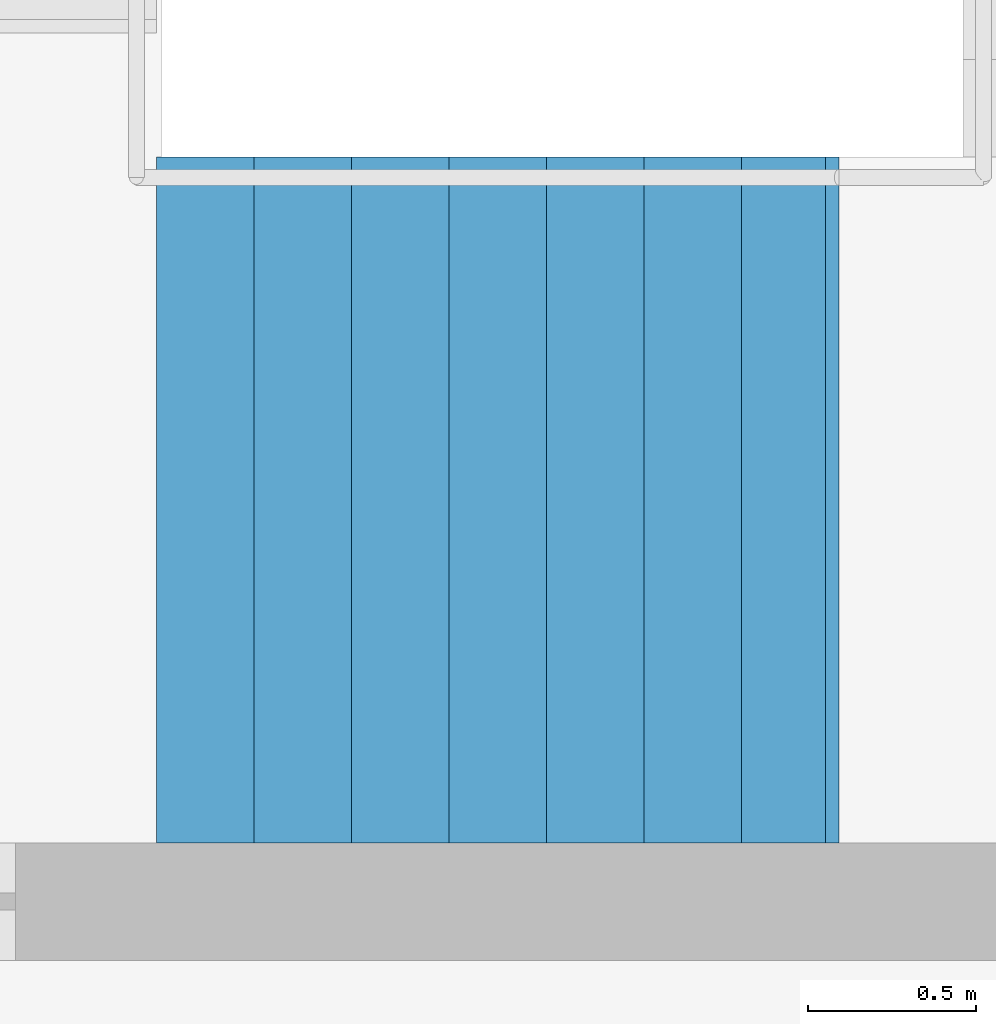
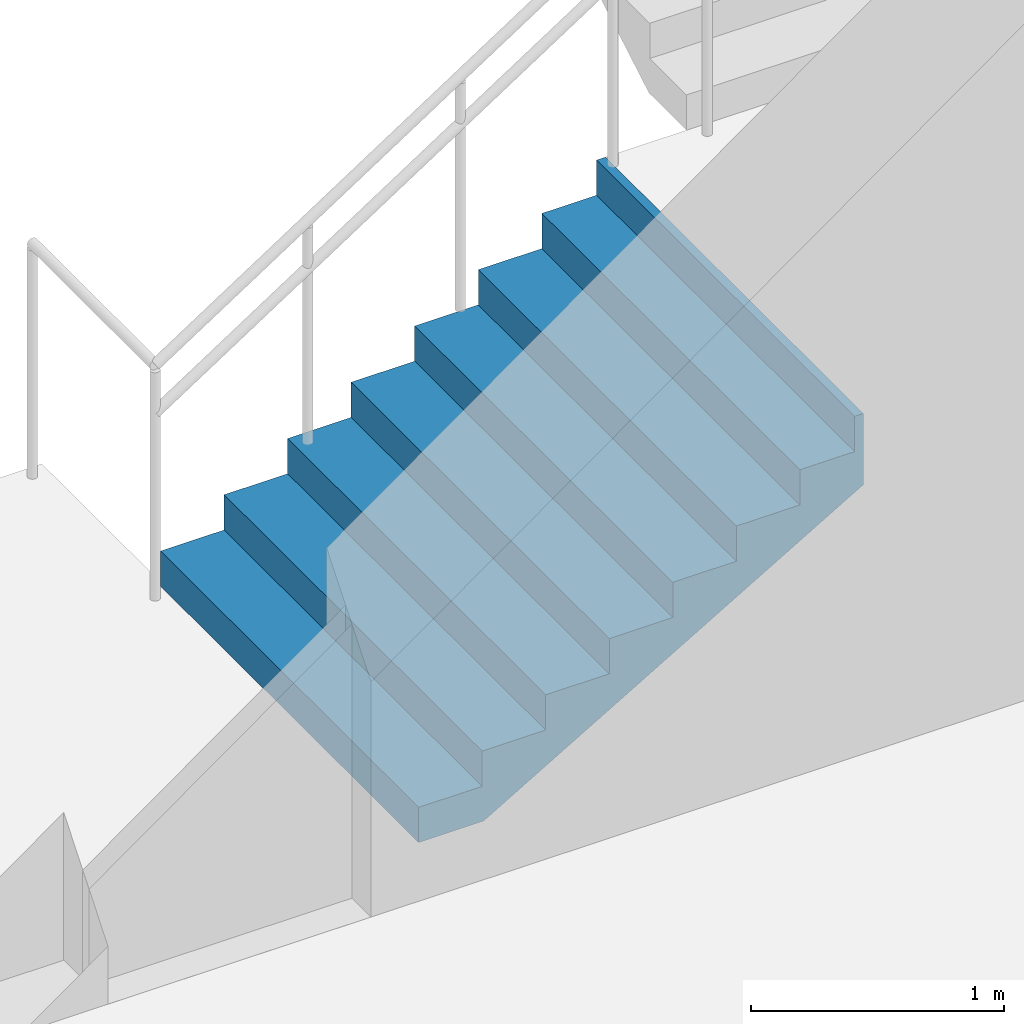
# One storey, part 31 of 50: 1 stair flight, 1 element without a shape of its own.
"""IFC4 building model written with IfcOpenShell, lengths in metres."""

from ifc_helpers import new_model, si_unit, direction, frame, origin, place, context, subcontext, project, spatial, triangles, material, type_object, element, aggregate, save


model = new_model("IFC4")

# Units and contexts
model_context = context("Model", 3, precision=1e-05, world=origin(), true_north=direction((0.0, 1.0)))
body_context = subcontext(model_context, "Body", "Model", "MODEL_VIEW")
ifc_project = project(units=[si_unit("LENGTHUNIT", "METRE"), si_unit("AREAUNIT", "SQUARE_METRE"), si_unit("VOLUMEUNIT", "CUBIC_METRE"), si_unit("PLANEANGLEUNIT", "RADIAN"), si_unit("MASSUNIT", "GRAM", prefix="KILO")], contexts=[model_context])

# Site, building, storey
site_placement = place(None, origin())
site = spatial("IfcSite", under=ifc_project, at=site_placement, CompositionType="ELEMENT")
building_placement = place(site_placement, origin())
building = spatial("IfcBuilding", under=site, at=building_placement, Name="Sillaruma Civic Art Gallery", CompositionType="ELEMENT")
storey_placement = place(building_placement, origin())
storey = spatial("IfcBuildingStorey", under=building, at=storey_placement, Name="L00", CompositionType="ELEMENT", Elevation=0.0)

# Stair, stair flight
ifc_material = material(Name="Concrete H35 (35 MPa)", Category="concrete")
stair_type = type_object("IfcStairType", Name="STR-4F-32", PredefinedType="USERDEFINED", material=ifc_material)
stair_placement = place(storey_placement, origin())
stair = element("IfcStair", 1, at=stair_placement, inside=storey, type_object=stair_type, Name="Protected Exit Stair ST-04 (East Bar) (L00)", ObjectType="THREE_RETURN_STAIR", PredefinedType="USERDEFINED")
stair_flight_type = type_object("IfcStairFlightType", Name="SFL-STR-8", PredefinedType="STRAIGHT", material=ifc_material)
stair_flight_placement = place(storey_placement, frame((100.89990234375, 52.22998046875, 0.0), z_axis=(0.0, 0.0, 1.0), x_axis=(1.0, 0.0, 0.0)))
stair_flight = element("IfcStairFlight", 2, at=stair_flight_placement, type_object=stair_flight_type, Name="ST-04 flight 1", NumberOfRisers=8, NumberOfTreads=7, PredefinedType="STRAIGHT", RiserHeight=0.17, TreadLength=0.29, context=body_context, shape_type="Tessellation", body=[
    triangles([(0.0, -1.02001953125, 0.0), (0.29, -1.02001953125, 0.0), (0.296443, -1.02001953125, 0.0), (0.58, -1.02001953125, 0.166223), (0.87, -1.02001953125, 0.336223), (1.16, -1.02001953125, 0.506223), (1.45, -1.02001953125, 0.676223), (1.74, -1.02001953125, 0.846223), (1.990029, -1.02001953125, 0.992792), (2.030029, -1.02001953125, 1.01624), (2.030029, -1.02001953125, 1.36), (1.990029, -1.02001953125, 1.36), (1.990029, -1.02001953125, 1.19), (1.74, -1.02001953125, 1.19), (1.74, -1.02001953125, 1.02), (1.45, -1.02001953125, 1.02), (1.45, -1.02001953125, 0.85), (1.16, -1.02001953125, 0.85), (1.16, -1.02001953125, 0.68), (0.87, -1.02001953125, 0.68), (0.87, -1.02001953125, 0.51), (0.58, -1.02001953125, 0.51), (0.58, -1.02001953125, 0.34), (0.296443, -1.02001953125, 0.34), (0.29, -1.02001953125, 0.34), (0.29, -1.02001953125, 0.17), (0.0, -1.02001953125, 0.17), (0.0, -0.05, 0.0), (0.29, -0.05, 0.0), (0.296443, -0.05, 0.0), (0.58, -0.05, 0.166223), (0.87, -0.05, 0.336223), (1.16, -0.05, 0.506223), (1.45, -0.05, 0.676223), (1.74, -0.05, 0.846223), (1.990029, -0.05, 0.992792), (2.030029, -0.05, 1.01624), (2.030029, -0.05, 1.36), (1.990029, -0.05, 1.36), (1.990029, -0.05, 1.19), (1.74, -0.05, 1.19), (1.74, -0.05, 1.02), (1.45, -0.05, 1.02), (1.45, -0.05, 0.85), (1.16, -0.05, 0.85), (1.16, -0.05, 0.68), (0.87, -0.05, 0.68), (0.87, -0.05, 0.51), (0.58, -0.05, 0.51), (0.58, -0.05, 0.34), (0.296443, -0.05, 0.34), (0.29, -0.05, 0.34), (0.29, -0.05, 0.17), (0.0, -0.05, 0.17), (0.0, -0.0375, 0.0), (0.29, -0.0375, 0.0), (0.296443, -0.0375, 0.0), (0.58, -0.0375, 0.166223), (0.87, -0.0375, 0.336223), (1.16, -0.0375, 0.506223), (1.45, -0.0375, 0.676223), (1.74, -0.0375, 0.846223), (1.990029, -0.0375, 0.992792), (2.030029, -0.0375, 1.01624), (2.030029, -0.0375, 1.36), (1.990029, -0.0375, 1.36), (1.990029, -0.0375, 1.19), (1.74, -0.0375, 1.19), (1.74, -0.0375, 1.02), (1.45, -0.0375, 1.02), (1.45, -0.0375, 0.85), (1.16, -0.0375, 0.85), (1.16, -0.0375, 0.68), (0.87, -0.0375, 0.68), (0.87, -0.0375, 0.51), (0.58, -0.0375, 0.51), (0.58, -0.0375, 0.34), (0.296443, -0.0375, 0.34), (0.29, -0.0375, 0.34), (0.29, -0.0375, 0.17), (0.0, -0.0375, 0.17), (0.0, -0.025, 0.0), (0.29, -0.025, 0.0), (0.296443, -0.025, 0.0), (0.58, -0.025, 0.166223), (0.87, -0.025, 0.336223), (1.16, -0.025, 0.506223), (1.45, -0.025, 0.676223), (1.74, -0.025, 0.846223), (1.990029, -0.025, 0.992792), (2.030029, -0.025, 1.01624), (2.030029, -0.025, 1.36), (1.990029, -0.025, 1.36), (1.990029, -0.025, 1.19), (1.74, -0.025, 1.19), (1.74, -0.025, 1.02), (1.45, -0.025, 1.02), (1.45, -0.025, 0.85), (1.16, -0.025, 0.85), (1.16, -0.025, 0.68), (0.87, -0.025, 0.68), (0.87, -0.025, 0.51), (0.58, -0.025, 0.51), (0.58, -0.025, 0.34), (0.296443, -0.025, 0.34), (0.29, -0.025, 0.34), (0.29, -0.025, 0.17), (0.0, -0.025, 0.17), (0.0, -0.0125, 0.0), (0.29, -0.0125, 0.0), (0.296443, -0.0125, 0.0), (0.58, -0.0125, 0.166223), (0.87, -0.0125, 0.336223), (1.16, -0.0125, 0.506223), (1.45, -0.0125, 0.676223), (1.74, -0.0125, 0.846223), (1.990029, -0.0125, 0.992792), (2.030029, -0.0125, 1.01624), (2.030029, -0.0125, 1.36), (1.990029, -0.0125, 1.36), (1.990029, -0.0125, 1.19), (1.74, -0.0125, 1.19), (1.74, -0.0125, 1.02), (1.45, -0.0125, 1.02), (1.45, -0.0125, 0.85), (1.16, -0.0125, 0.85), (1.16, -0.0125, 0.68), (0.87, -0.0125, 0.68), (0.87, -0.0125, 0.51), (0.58, -0.0125, 0.51), (0.58, -0.0125, 0.34), (0.296443, -0.0125, 0.34), (0.29, -0.0125, 0.34), (0.29, -0.0125, 0.17), (0.0, -0.0125, 0.17), (0.0, 0.0, 0.0), (0.29, 0.0, 0.0), (0.296443, 0.0, 0.0), (0.58, 0.0, 0.166223), (0.87, 0.0, 0.336223), (1.16, 0.0, 0.506223), (1.45, 0.0, 0.676223), (1.74, 0.0, 0.846223), (1.990029, 0.0, 0.992792), (2.030029, 0.0, 1.01624), (2.030029, 0.0, 1.36), (1.990029, 0.0, 1.36), (1.990029, 0.0, 1.19), (1.74, 0.0, 1.19), (1.74, 0.0, 1.02), (1.45, 0.0, 1.02), (1.45, 0.0, 0.85), (1.16, 0.0, 0.85), (1.16, 0.0, 0.68), (0.87, 0.0, 0.68), (0.87, 0.0, 0.51), (0.58, 0.0, 0.51), (0.58, 0.0, 0.34), (0.296443, 0.0, 0.34), (0.29, 0.0, 0.34), (0.29, 0.0, 0.17), (0.0, 0.0, 0.17), (0.0, 0.0125, 0.0), (0.29, 0.0125, 0.0), (0.296443, 0.0125, 0.0), (0.58, 0.0125, 0.166223), (0.87, 0.0125, 0.336223), (1.16, 0.0125, 0.506223), (1.45, 0.0125, 0.676223), (1.74, 0.0125, 0.846223), (1.990029, 0.0125, 0.992792), (2.030029, 0.0125, 1.01624), (2.030029, 0.0125, 1.36), (1.990029, 0.0125, 1.36), (1.990029, 0.0125, 1.19), (1.74, 0.0125, 1.19), (1.74, 0.0125, 1.02), (1.45, 0.0125, 1.02), (1.45, 0.0125, 0.85), (1.16, 0.0125, 0.85), (1.16, 0.0125, 0.68), (0.87, 0.0125, 0.68), (0.87, 0.0125, 0.51), (0.58, 0.0125, 0.51), (0.58, 0.0125, 0.34), (0.296443, 0.0125, 0.34), (0.29, 0.0125, 0.34), (0.29, 0.0125, 0.17), (0.0, 0.0125, 0.17), (0.0, 0.025, 0.0), (0.29, 0.025, 0.0), (0.296443, 0.025, 0.0), (0.58, 0.025, 0.166223), (0.87, 0.025, 0.336223), (1.16, 0.025, 0.506223), (1.45, 0.025, 0.676223), (1.74, 0.025, 0.846223), (1.990029, 0.025, 0.992792), (2.030029, 0.025, 1.01624), (2.030029, 0.025, 1.36), (1.990029, 0.025, 1.36), (1.990029, 0.025, 1.19), (1.74, 0.025, 1.19), (1.74, 0.025, 1.02), (1.45, 0.025, 1.02), (1.45, 0.025, 0.85), (1.16, 0.025, 0.85), (1.16, 0.025, 0.68), (0.87, 0.025, 0.68), (0.87, 0.025, 0.51), (0.58, 0.025, 0.51), (0.58, 0.025, 0.34), (0.296443, 0.025, 0.34), (0.29, 0.025, 0.34), (0.29, 0.025, 0.17), (0.0, 0.025, 0.17), (0.0, 0.0375, 0.0), (0.29, 0.0375, 0.0), (0.296443, 0.0375, 0.0), (0.58, 0.0375, 0.166223), (0.87, 0.0375, 0.336223), (1.16, 0.0375, 0.506223), (1.45, 0.0375, 0.676223), (1.74, 0.0375, 0.846223), (1.990029, 0.0375, 0.992792), (2.030029, 0.0375, 1.01624), (2.030029, 0.0375, 1.36), (1.990029, 0.0375, 1.36), (1.990029, 0.0375, 1.19), (1.74, 0.0375, 1.19), (1.74, 0.0375, 1.02), (1.45, 0.0375, 1.02), (1.45, 0.0375, 0.85), (1.16, 0.0375, 0.85), (1.16, 0.0375, 0.68), (0.87, 0.0375, 0.68), (0.87, 0.0375, 0.51), (0.58, 0.0375, 0.51), (0.58, 0.0375, 0.34), (0.296443, 0.0375, 0.34), (0.29, 0.0375, 0.34), (0.29, 0.0375, 0.17), (0.0, 0.0375, 0.17), (0.0, 0.05, 0.0), (0.29, 0.05, 0.0), (0.296443, 0.05, 0.0), (0.58, 0.05, 0.166223), (0.87, 0.05, 0.336223), (1.16, 0.05, 0.506223), (1.45, 0.05, 0.676223), (1.74, 0.05, 0.846223), (1.990029, 0.05, 0.992792), (2.030029, 0.05, 1.01624), (2.030029, 0.05, 1.36), (1.990029, 0.05, 1.36), (1.990029, 0.05, 1.19), (1.74, 0.05, 1.19), (1.74, 0.05, 1.02), (1.45, 0.05, 1.02), (1.45, 0.05, 0.85), (1.16, 0.05, 0.85), (1.16, 0.05, 0.68), (0.87, 0.05, 0.68), (0.87, 0.05, 0.51), (0.58, 0.05, 0.51), (0.58, 0.05, 0.34), (0.296443, 0.05, 0.34), (0.29, 0.05, 0.34), (0.29, 0.05, 0.17), (0.0, 0.05, 0.17), (0.0, 1.02001953125, 0.0), (0.29, 1.02001953125, 0.0), (0.296443, 1.02001953125, 0.0), (0.58, 1.02001953125, 0.166223), (0.87, 1.02001953125, 0.336223), (1.16, 1.02001953125, 0.506223), (1.45, 1.02001953125, 0.676223), (1.74, 1.02001953125, 0.846223), (1.990029, 1.02001953125, 0.992792), (2.030029, 1.02001953125, 1.01624), (2.030029, 1.02001953125, 1.36), (1.990029, 1.02001953125, 1.36), (1.990029, 1.02001953125, 1.19), (1.74, 1.02001953125, 1.19), (1.74, 1.02001953125, 1.02), (1.45, 1.02001953125, 1.02), (1.45, 1.02001953125, 0.85), (1.16, 1.02001953125, 0.85), (1.16, 1.02001953125, 0.68), (0.87, 1.02001953125, 0.68), (0.87, 1.02001953125, 0.51), (0.58, 1.02001953125, 0.51), (0.58, 1.02001953125, 0.34), (0.296443, 1.02001953125, 0.34), (0.29, 1.02001953125, 0.34), (0.29, 1.02001953125, 0.17), (0.0, 1.02001953125, 0.17)], [[1, 2, 26], [1, 26, 27], [2, 3, 24], [2, 24, 26], [26, 24, 25], [3, 4, 23], [3, 23, 24], [4, 5, 21], [4, 21, 23], [23, 21, 22], [5, 6, 19], [5, 19, 21], [21, 19, 20], [6, 7, 17], [6, 17, 19], [19, 17, 18], [7, 8, 15], [7, 15, 17], [17, 15, 16], [8, 9, 13], [8, 13, 15], [15, 13, 14], [9, 10, 11], [9, 11, 13], [13, 11, 12], [296, 272, 271], [297, 296, 271], [294, 273, 272], [296, 294, 272], [295, 294, 296], [293, 274, 273], [294, 293, 273], [291, 275, 274], [293, 291, 274], [292, 291, 293], [289, 276, 275], [291, 289, 275], [290, 289, 291], [287, 277, 276], [289, 287, 276], [288, 287, 289], [285, 278, 277], [287, 285, 277], [286, 285, 287], [283, 279, 278], [285, 283, 278], [284, 283, 285], [281, 280, 279], [283, 281, 279], [282, 281, 283], [2, 1, 28], [2, 28, 29], [3, 2, 29], [3, 29, 30], [4, 3, 30], [4, 30, 31], [5, 4, 31], [5, 31, 32], [6, 5, 32], [6, 32, 33], [7, 6, 33], [7, 33, 34], [8, 7, 34], [8, 34, 35], [9, 8, 35], [9, 35, 36], [10, 9, 36], [10, 36, 37], [11, 10, 37], [11, 37, 38], [12, 11, 38], [12, 38, 39], [13, 12, 39], [13, 39, 40], [14, 13, 40], [14, 40, 41], [15, 14, 41], [15, 41, 42], [16, 15, 42], [16, 42, 43], [17, 16, 43], [17, 43, 44], [18, 17, 44], [18, 44, 45], [19, 18, 45], [19, 45, 46], [20, 19, 46], [20, 46, 47], [21, 20, 47], [21, 47, 48], [22, 21, 48], [22, 48, 49], [23, 22, 49], [23, 49, 50], [24, 23, 50], [24, 50, 51], [25, 24, 51], [25, 51, 52], [26, 25, 52], [26, 52, 53], [27, 26, 53], [27, 53, 54], [1, 27, 54], [1, 54, 28], [29, 28, 55], [29, 55, 56], [30, 29, 56], [30, 56, 57], [31, 30, 57], [31, 57, 58], [32, 31, 58], [32, 58, 59], [33, 32, 59], [33, 59, 60], [34, 33, 60], [34, 60, 61], [35, 34, 61], [35, 61, 62], [36, 35, 62], [36, 62, 63], [37, 36, 63], [37, 63, 64], [38, 37, 64], [38, 64, 65], [39, 38, 65], [39, 65, 66], [40, 39, 66], [40, 66, 67], [41, 40, 67], [41, 67, 68], [42, 41, 68], [42, 68, 69], [43, 42, 69], [43, 69, 70], [44, 43, 70], [44, 70, 71], [45, 44, 71], [45, 71, 72], [46, 45, 72], [46, 72, 73], [47, 46, 73], [47, 73, 74], [48, 47, 74], [48, 74, 75], [49, 48, 75], [49, 75, 76], [50, 49, 76], [50, 76, 77], [51, 50, 77], [51, 77, 78], [52, 51, 78], [52, 78, 79], [53, 52, 79], [53, 79, 80], [54, 53, 80], [54, 80, 81], [28, 54, 81], [28, 81, 55], [56, 55, 82], [56, 82, 83], [57, 56, 83], [57, 83, 84], [58, 57, 84], [58, 84, 85], [59, 58, 85], [59, 85, 86], [60, 59, 86], [60, 86, 87], [61, 60, 87], [61, 87, 88], [62, 61, 88], [62, 88, 89], [63, 62, 89], [63, 89, 90], [64, 63, 90], [64, 90, 91], [65, 64, 91], [65, 91, 92], [66, 65, 92], [66, 92, 93], [67, 66, 93], [67, 93, 94], [68, 67, 94], [68, 94, 95], [69, 68, 95], [69, 95, 96], [70, 69, 96], [70, 96, 97], [71, 70, 97], [71, 97, 98], [72, 71, 98], [72, 98, 99], [73, 72, 99], [73, 99, 100], [74, 73, 100], [74, 100, 101], [75, 74, 101], [75, 101, 102], [76, 75, 102], [76, 102, 103], [77, 76, 103], [77, 103, 104], [78, 77, 104], [78, 104, 105], [79, 78, 105], [79, 105, 106], [80, 79, 106], [80, 106, 107], [81, 80, 107], [81, 107, 108], [55, 81, 108], [55, 108, 82], [83, 82, 109], [83, 109, 110], [84, 83, 110], [84, 110, 111], [85, 84, 111], [85, 111, 112], [86, 85, 112], [86, 112, 113], [87, 86, 113], [87, 113, 114], [88, 87, 114], [88, 114, 115], [89, 88, 115], [89, 115, 116], [90, 89, 116], [90, 116, 117], [91, 90, 117], [91, 117, 118], [92, 91, 118], [92, 118, 119], [93, 92, 119], [93, 119, 120], [94, 93, 120], [94, 120, 121], [95, 94, 121], [95, 121, 122], [96, 95, 122], [96, 122, 123], [97, 96, 123], [97, 123, 124], [98, 97, 124], [98, 124, 125], [99, 98, 125], [99, 125, 126], [100, 99, 126], [100, 126, 127], [101, 100, 127], [101, 127, 128], [102, 101, 128], [102, 128, 129], [103, 102, 129], [103, 129, 130], [104, 103, 130], [104, 130, 131], [105, 104, 131], [105, 131, 132], [106, 105, 132], [106, 132, 133], [107, 106, 133], [107, 133, 134], [108, 107, 134], [108, 134, 135], [82, 108, 135], [82, 135, 109], [110, 109, 136], [110, 136, 137], [111, 110, 137], [111, 137, 138], [112, 111, 138], [112, 138, 139], [113, 112, 139], [113, 139, 140], [114, 113, 140], [114, 140, 141], [115, 114, 141], [115, 141, 142], [116, 115, 142], [116, 142, 143], [117, 116, 143], [117, 143, 144], [118, 117, 144], [118, 144, 145], [119, 118, 145], [119, 145, 146], [120, 119, 146], [120, 146, 147], [121, 120, 147], [121, 147, 148], [122, 121, 148], [122, 148, 149], [123, 122, 149], [123, 149, 150], [124, 123, 150], [124, 150, 151], [125, 124, 151], [125, 151, 152], [126, 125, 152], [126, 152, 153], [127, 126, 153], [127, 153, 154], [128, 127, 154], [128, 154, 155], [129, 128, 155], [129, 155, 156], [130, 129, 156], [130, 156, 157], [131, 130, 157], [131, 157, 158], [132, 131, 158], [132, 158, 159], [133, 132, 159], [133, 159, 160], [134, 133, 160], [134, 160, 161], [135, 134, 161], [135, 161, 162], [109, 135, 162], [109, 162, 136], [137, 136, 163], [137, 163, 164], [138, 137, 164], [138, 164, 165], [139, 138, 165], [139, 165, 166], [140, 139, 166], [140, 166, 167], [141, 140, 167], [141, 167, 168], [142, 141, 168], [142, 168, 169], [143, 142, 169], [143, 169, 170], [144, 143, 170], [144, 170, 171], [145, 144, 171], [145, 171, 172], [146, 145, 172], [146, 172, 173], [147, 146, 173], [147, 173, 174], [148, 147, 174], [148, 174, 175], [149, 148, 175], [149, 175, 176], [150, 149, 176], [150, 176, 177], [151, 150, 177], [151, 177, 178], [152, 151, 178], [152, 178, 179], [153, 152, 179], [153, 179, 180], [154, 153, 180], [154, 180, 181], [155, 154, 181], [155, 181, 182], [156, 155, 182], [156, 182, 183], [157, 156, 183], [157, 183, 184], [158, 157, 184], [158, 184, 185], [159, 158, 185], [159, 185, 186], [160, 159, 186], [160, 186, 187], [161, 160, 187], [161, 187, 188], [162, 161, 188], [162, 188, 189], [136, 162, 189], [136, 189, 163], [164, 163, 190], [164, 190, 191], [165, 164, 191], [165, 191, 192], [166, 165, 192], [166, 192, 193], [167, 166, 193], [167, 193, 194], [168, 167, 194], [168, 194, 195], [169, 168, 195], [169, 195, 196], [170, 169, 196], [170, 196, 197], [171, 170, 197], [171, 197, 198], [172, 171, 198], [172, 198, 199], [173, 172, 199], [173, 199, 200], [174, 173, 200], [174, 200, 201], [175, 174, 201], [175, 201, 202], [176, 175, 202], [176, 202, 203], [177, 176, 203], [177, 203, 204], [178, 177, 204], [178, 204, 205], [179, 178, 205], [179, 205, 206], [180, 179, 206], [180, 206, 207], [181, 180, 207], [181, 207, 208], [182, 181, 208], [182, 208, 209], [183, 182, 209], [183, 209, 210], [184, 183, 210], [184, 210, 211], [185, 184, 211], [185, 211, 212], [186, 185, 212], [186, 212, 213], [187, 186, 213], [187, 213, 214], [188, 187, 214], [188, 214, 215], [189, 188, 215], [189, 215, 216], [163, 189, 216], [163, 216, 190], [191, 190, 217], [191, 217, 218], [192, 191, 218], [192, 218, 219], [193, 192, 219], [193, 219, 220], [194, 193, 220], [194, 220, 221], [195, 194, 221], [195, 221, 222], [196, 195, 222], [196, 222, 223], [197, 196, 223], [197, 223, 224], [198, 197, 224], [198, 224, 225], [199, 198, 225], [199, 225, 226], [200, 199, 226], [200, 226, 227], [201, 200, 227], [201, 227, 228], [202, 201, 228], [202, 228, 229], [203, 202, 229], [203, 229, 230], [204, 203, 230], [204, 230, 231], [205, 204, 231], [205, 231, 232], [206, 205, 232], [206, 232, 233], [207, 206, 233], [207, 233, 234], [208, 207, 234], [208, 234, 235], [209, 208, 235], [209, 235, 236], [210, 209, 236], [210, 236, 237], [211, 210, 237], [211, 237, 238], [212, 211, 238], [212, 238, 239], [213, 212, 239], [213, 239, 240], [214, 213, 240], [214, 240, 241], [215, 214, 241], [215, 241, 242], [216, 215, 242], [216, 242, 243], [190, 216, 243], [190, 243, 217], [218, 217, 244], [218, 244, 245], [219, 218, 245], [219, 245, 246], [220, 219, 246], [220, 246, 247], [221, 220, 247], [221, 247, 248], [222, 221, 248], [222, 248, 249], [223, 222, 249], [223, 249, 250], [224, 223, 250], [224, 250, 251], [225, 224, 251], [225, 251, 252], [226, 225, 252], [226, 252, 253], [227, 226, 253], [227, 253, 254], [228, 227, 254], [228, 254, 255], [229, 228, 255], [229, 255, 256], [230, 229, 256], [230, 256, 257], [231, 230, 257], [231, 257, 258], [232, 231, 258], [232, 258, 259], [233, 232, 259], [233, 259, 260], [234, 233, 260], [234, 260, 261], [235, 234, 261], [235, 261, 262], [236, 235, 262], [236, 262, 263], [237, 236, 263], [237, 263, 264], [238, 237, 264], [238, 264, 265], [239, 238, 265], [239, 265, 266], [240, 239, 266], [240, 266, 267], [241, 240, 267], [241, 267, 268], [242, 241, 268], [242, 268, 269], [243, 242, 269], [243, 269, 270], [217, 243, 270], [217, 270, 244], [245, 244, 271], [245, 271, 272], [246, 245, 272], [246, 272, 273], [247, 246, 273], [247, 273, 274], [248, 247, 274], [248, 274, 275], [249, 248, 275], [249, 275, 276], [250, 249, 276], [250, 276, 277], [251, 250, 277], [251, 277, 278], [252, 251, 278], [252, 278, 279], [253, 252, 279], [253, 279, 280], [254, 253, 280], [254, 280, 281], [255, 254, 281], [255, 281, 282], [256, 255, 282], [256, 282, 283], [257, 256, 283], [257, 283, 284], [258, 257, 284], [258, 284, 285], [259, 258, 285], [259, 285, 286], [260, 259, 286], [260, 286, 287], [261, 260, 287], [261, 287, 288], [262, 261, 288], [262, 288, 289], [263, 262, 289], [263, 289, 290], [264, 263, 290], [264, 290, 291], [265, 264, 291], [265, 291, 292], [266, 265, 292], [266, 292, 293], [267, 266, 293], [267, 293, 294], [268, 267, 294], [268, 294, 295], [269, 268, 295], [269, 295, 296], [270, 269, 296], [270, 296, 297], [244, 270, 297], [244, 297, 271]], closed=True),
])
aggregate(stair, [stair_flight])

save(model, "model.ifc")
